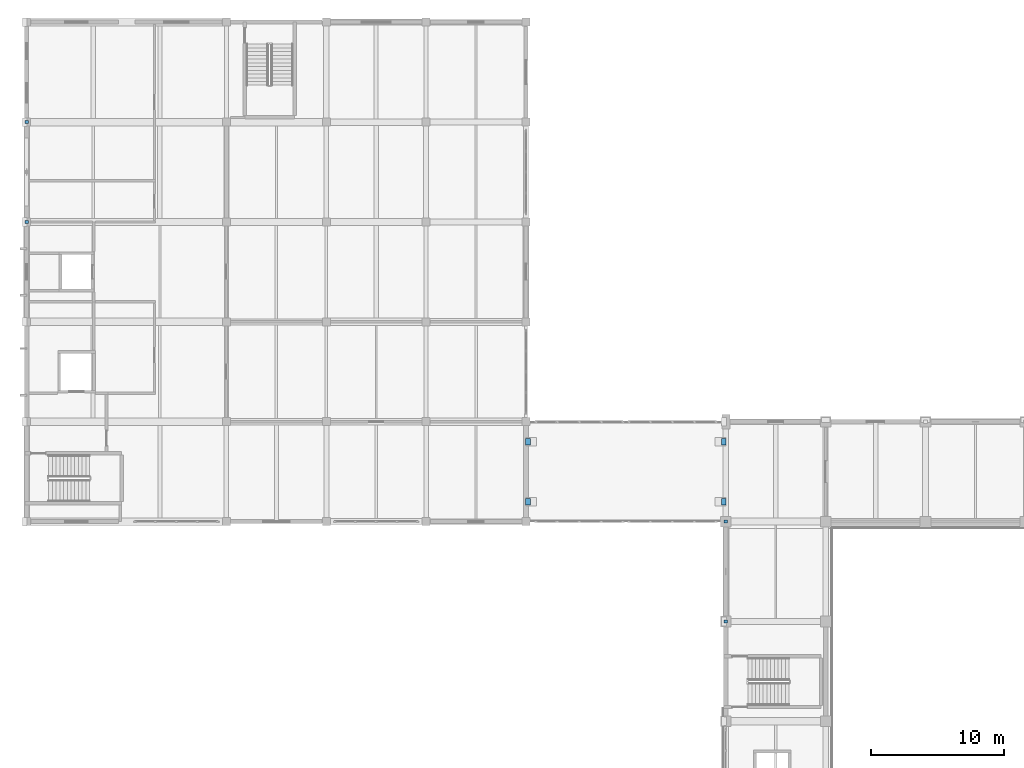
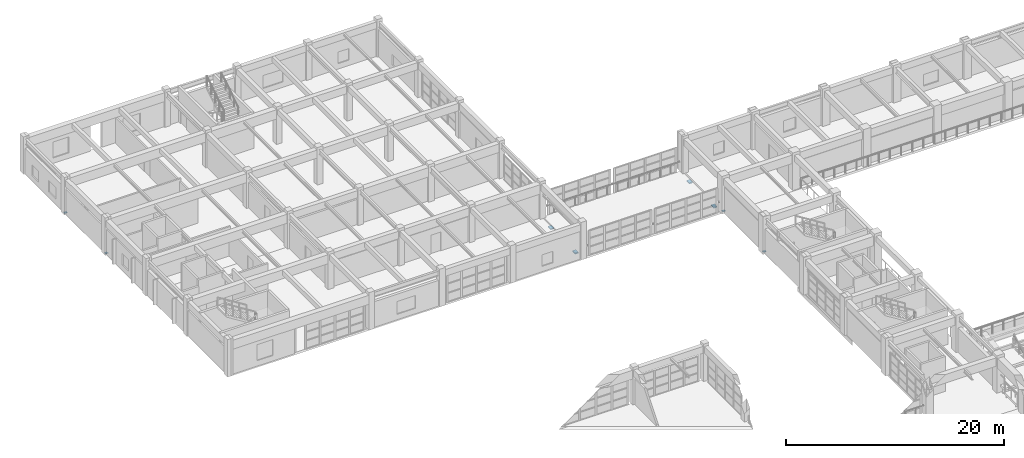
# One storey, part 105 of 124: 8 discrete accessories.
"""IFC4 building model written with IfcOpenShell, lengths in metres."""

from ifc_helpers import new_model, si_unit, direction, frame, origin, origin_2d, place, context, subcontext, project, spatial, rectangle, extrude, material, type_object, element, save


model = new_model("IFC4")

# Units and contexts
model_context = context("Model", 3, precision=1e-05, world=origin(), true_north=direction((0.0, 1.0)))
body_context = subcontext(model_context, "Body", "Model", "MODEL_VIEW")
ifc_project = project(units=[si_unit("LENGTHUNIT", "METRE"), si_unit("AREAUNIT", "SQUARE_METRE"), si_unit("VOLUMEUNIT", "CUBIC_METRE"), si_unit("PLANEANGLEUNIT", "RADIAN"), si_unit("MASSUNIT", "GRAM", prefix="KILO")], contexts=[model_context])

# Site, building, storey
site_placement = place(None, origin())
site = spatial("IfcSite", under=ifc_project, at=site_placement, CompositionType="ELEMENT")
building_placement = place(site_placement, origin())
building = spatial("IfcBuilding", under=site, at=building_placement, Name="Qasida Concert Hall", CompositionType="ELEMENT")
storey_placement = place(building_placement, frame((0.0, 0.0, 9.0)))
storey = spatial("IfcBuildingStorey", under=building, at=storey_placement, Name="L02", CompositionType="ELEMENT", Elevation=9.0)

# Discrete accessories
ifc_material = material(Name="Steel S355J2", Category="steel")
discrete_accessory_type_1 = type_object("IfcDiscreteAccessoryType", Name="ACC-CONN-S355", PredefinedType="BRACKET", material=ifc_material)
for number, where, z_axis, x_axis, name in (
    (1, (52.5, 67.5, -0.011962890625), (0.0, 0.0, 1.0), (1.0, 0.0, 0.0), "Steel brace/strut end connection CN-0184"),
    (2, (52.5, 75.0, -0.011962890625), (0.0, 0.0, 1.0), (1.0, 0.0, 0.0), "Steel brace/strut end connection CN-0185"),
    (3, (0.0, 97.5, -0.011962890625), (0.0, 0.0, 1.0), (1.0, 0.0, 0.0), "Steel brace/strut end connection CN-0240"),
    (4, (0.0, 105.0, -0.011962890625), (0.0, 0.0, 1.0), (1.0, 0.0, 0.0), "Steel brace/strut end connection CN-0241"),
):
    element("IfcDiscreteAccessory", number, at=place(storey_placement, frame(where, z_axis=z_axis, x_axis=x_axis)), inside=storey, type_object=discrete_accessory_type_1, Name=name, PredefinedType="BRACKET", context=body_context, shape_type="SweptSolid", body=[
        extrude(rectangle(XDim=0.280029296875, YDim=0.239990234375, at=origin_2d()), origin(), (0.0, 0.0, 1.0), 0.02392578125),
    ])
discrete_accessory_type_2 = type_object("IfcDiscreteAccessoryType", Name="ACC-PTFE-SLIDE", PredefinedType="BRACKET", material=ifc_material)
for number, where, z_axis, x_axis, name in (
    (5, (37.64990234375, 76.5, -0.400146484375), (0.0, 0.0, 1.0), (1.0, 0.0, 0.0), "Seismic sliding bearing SB-PTFE-025"),
    (6, (37.64990234375, 81.0, -0.400146484375), (0.0, 0.0, 1.0), (1.0, 0.0, 0.0), "Seismic sliding bearing SB-PTFE-026"),
    (7, (52.35009765625, 76.5, -0.400146484375), (0.0, 0.0, 1.0), (1.0, 0.0, 0.0), "Seismic sliding bearing SB-PTFE-027"),
    (8, (52.35009765625, 81.0, -0.400146484375), (0.0, 0.0, 1.0), (1.0, 0.0, 0.0), "Seismic sliding bearing SB-PTFE-028"),
):
    element("IfcDiscreteAccessory", number, at=place(storey_placement, frame(where, z_axis=z_axis, x_axis=x_axis)), inside=storey, type_object=discrete_accessory_type_2, Name=name, PredefinedType="BRACKET", context=body_context, shape_type="SweptSolid", body=[
        extrude(rectangle(XDim=0.35009765625, YDim=0.5, at=origin_2d()), origin(), (0.0, 0.0, 1.0), 0.1201171875),
    ])

save(model, "model.ifc")
